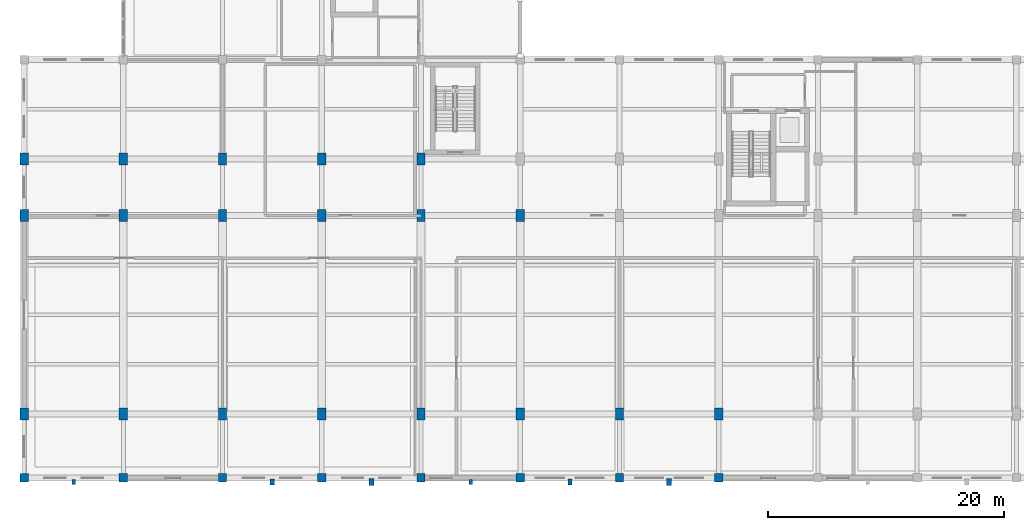
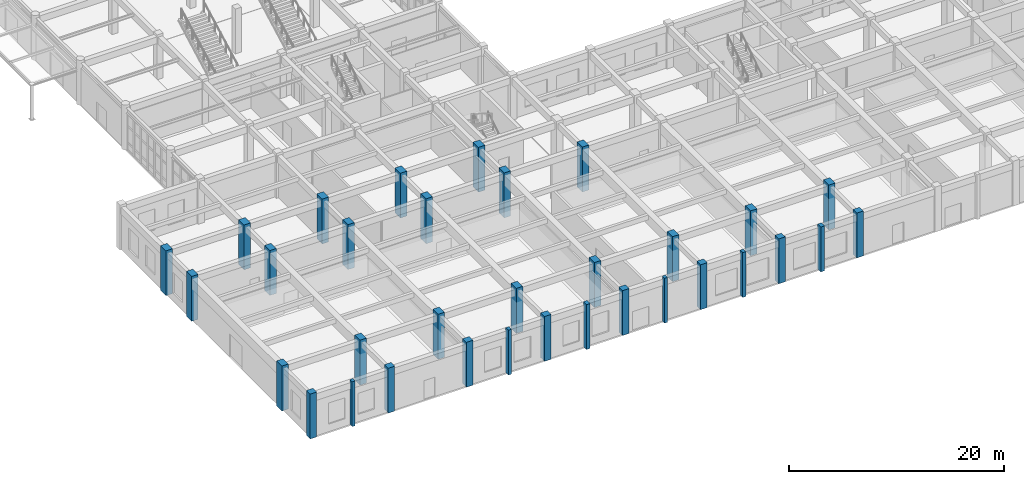
# One storey, part 1 of 80: 33 columns.
"""IFC4 building model written with IfcOpenShell, lengths in metres."""

from ifc_helpers import new_model, si_unit, direction, frame, origin, origin_2d, place, context, subcontext, project, spatial, rectangle, extrude, material, material_profile, profile_set, type_object, element, save


model = new_model("IFC4")

# Units and contexts
model_context = context("Model", 3, precision=1e-05, world=origin(), true_north=direction((0.0, 1.0)))
body_context = subcontext(model_context, "Body", "Model", "MODEL_VIEW")
ifc_project = project(units=[si_unit("LENGTHUNIT", "METRE"), si_unit("AREAUNIT", "SQUARE_METRE"), si_unit("VOLUMEUNIT", "CUBIC_METRE"), si_unit("PLANEANGLEUNIT", "RADIAN"), si_unit("MASSUNIT", "GRAM", prefix="KILO")], contexts=[model_context])

# Site, building, storey
site_placement = place(None, origin())
site = spatial("IfcSite", under=ifc_project, at=site_placement, CompositionType="ELEMENT")
building_placement = place(site_placement, origin())
building = spatial("IfcBuilding", under=site, at=building_placement, Name="Krzemoval Escarpment Law Courts", CompositionType="ELEMENT")
storey_placement = place(building_placement, origin())
storey = spatial("IfcBuildingStorey", under=building, at=storey_placement, Name="L00", CompositionType="ELEMENT", Elevation=0.0)

# Columns
ifc_material_1 = material(Name="Concrete C40/50", Category="concrete")
ifc_material_profile_1 = material_profile(ifc_material_1, rectangle(XDim=0.699951171875, YDim=0.699951171875, at=origin_2d()), Name="RC 700x700")
ifc_profile_set_1 = profile_set([ifc_material_profile_1], Name="Concrete C40/50")
column_type_1 = type_object("IfcColumnType", Name="COL-RC-700", PredefinedType="COLUMN", material=ifc_profile_set_1)
for number, where, z_axis, x_axis, name in (
    (1, (0.0, 0.0, 0.0), (0.0, 0.0, 1.0), (1.0, 0.0, 0.0), "Column FC-L00-0272"),
    (2, (8.39990234375, 0.0, 0.0), (0.0, 0.0, 1.0), (1.0, 0.0, 0.0), "Column FC-L00-0281"),
    (3, (16.800048828125, 0.0, 0.0), (0.0, 0.0, 1.0), (1.0, 0.0, 0.0), "Column FC-L00-0298"),
    (4, (25.199951171875, 0.0, 0.0), (0.0, 0.0, 1.0), (1.0, 0.0, 0.0), "Column FC-L00-0315"),
    (5, (33.60009765625, 0.0, 0.0), (0.0, 0.0, 1.0), (1.0, 0.0, 0.0), "Column FC-L00-0332"),
    (6, (42.0, 0.0, 0.0), (0.0, 0.0, 1.0), (1.0, 0.0, 0.0), "Column FC-L00-0349"),
    (7, (50.39990234375, 0.0, 0.0), (0.0, 0.0, 1.0), (1.0, 0.0, 0.0), "Column FC-L00-0366"),
    (8, (58.800048828125, 0.0, 0.0), (0.0, 0.0, 1.0), (1.0, 0.0, 0.0), "Column FC-L00-0374"),
):
    element("IfcColumn", number, at=place(storey_placement, frame(where, z_axis=z_axis, x_axis=x_axis)), inside=storey, type_object=column_type_1, Name=name, PredefinedType="COLUMN", context=body_context, shape_type="SweptSolid", body=[
        extrude(rectangle(XDim=0.699951171875, YDim=0.699951171875, at=origin_2d()), origin(), (0.0, 0.0, 1.0), 5.10009765625),
    ])
ifc_material_2 = material(Name="Concrete C50/60", Category="concrete")
ifc_material_profile_2 = material_profile(ifc_material_2, rectangle(XDim=0.699951171875, YDim=1.0, at=origin_2d()), Name="RC 700x1000")
ifc_profile_set_2 = profile_set([ifc_material_profile_2], Name="Concrete C50/60")
column_type_2 = type_object("IfcColumnType", Name="COL-RC-700x1000", PredefinedType="COLUMN", material=ifc_profile_set_2)
for number, where, z_axis, x_axis, name in (
    (9, (0.0, 5.39990234375, 0.0), (0.0, 0.0, 1.0), (1.0, 0.0, 0.0), "Column FC-L00-0273"),
    (10, (0.0, 22.199951171875, 0.0), (0.0, 0.0, 1.0), (1.0, 0.0, 0.0), "Column FC-L00-0274"),
    (11, (0.0, 27.0, 0.0), (0.0, 0.0, 1.0), (1.0, 0.0, 0.0), "Column FC-L00-0275"),
    (12, (8.39990234375, 5.39990234375, 0.0), (0.0, 0.0, 1.0), (1.0, 0.0, 0.0), "Column FC-L00-0282"),
    (13, (8.39990234375, 22.199951171875, 0.0), (0.0, 0.0, 1.0), (1.0, 0.0, 0.0), "Column FC-L00-0283"),
    (14, (8.39990234375, 27.0, 0.0), (0.0, 0.0, 1.0), (1.0, 0.0, 0.0), "Column FC-L00-0284"),
    (15, (16.800048828125, 5.39990234375, 0.0), (0.0, 0.0, 1.0), (1.0, 0.0, 0.0), "Column FC-L00-0299"),
    (16, (16.800048828125, 22.199951171875, 0.0), (0.0, 0.0, 1.0), (1.0, 0.0, 0.0), "Column FC-L00-0300"),
    (17, (16.800048828125, 27.0, 0.0), (0.0, 0.0, 1.0), (1.0, 0.0, 0.0), "Column FC-L00-0301"),
    (18, (25.199951171875, 5.39990234375, 0.0), (0.0, 0.0, 1.0), (1.0, 0.0, 0.0), "Column FC-L00-0316"),
    (19, (25.199951171875, 22.199951171875, 0.0), (0.0, 0.0, 1.0), (1.0, 0.0, 0.0), "Column FC-L00-0317"),
    (20, (25.199951171875, 27.0, 0.0), (0.0, 0.0, 1.0), (1.0, 0.0, 0.0), "Column FC-L00-0318"),
    (21, (33.60009765625, 5.39990234375, 0.0), (0.0, 0.0, 1.0), (1.0, 0.0, 0.0), "Column FC-L00-0333"),
    (22, (33.60009765625, 22.199951171875, 0.0), (0.0, 0.0, 1.0), (1.0, 0.0, 0.0), "Column FC-L00-0334"),
    (23, (33.60009765625, 27.0, 0.0), (0.0, 0.0, 1.0), (1.0, 0.0, 0.0), "Column FC-L00-0335"),
    (24, (42.0, 5.39990234375, 0.0), (0.0, 0.0, 1.0), (1.0, 0.0, 0.0), "Column FC-L00-0350"),
    (25, (42.0, 22.199951171875, 0.0), (0.0, 0.0, 1.0), (1.0, 0.0, 0.0), "Column FC-L00-0351"),
    (26, (50.39990234375, 5.39990234375, 0.0), (0.0, 0.0, 1.0), (1.0, 0.0, 0.0), "Column FC-L00-0367"),
    (27, (58.800048828125, 5.39990234375, 0.0), (0.0, 0.0, 1.0), (1.0, 0.0, 0.0), "Column FC-L00-0375"),
):
    element("IfcColumn", number, at=place(storey_placement, frame(where, z_axis=z_axis, x_axis=x_axis)), inside=storey, type_object=column_type_2, Name=name, PredefinedType="COLUMN", context=body_context, shape_type="SweptSolid", body=[
        extrude(rectangle(XDim=0.699951171875, YDim=1.0, at=origin_2d()), origin(), (0.0, 0.0, 1.0), 5.10009765625),
    ])
ifc_material_3 = material(Name="Precast concrete C40/50", Category="concrete")
ifc_material_profile_3 = material_profile(ifc_material_3, rectangle(XDim=0.300048828125, YDim=0.449951171875, at=origin_2d()), Name="PIL 300x450")
ifc_profile_set_3 = profile_set([ifc_material_profile_3], Name="Precast concrete C40/50")
column_type_3 = type_object("IfcColumnType", Name="PIL-PC-300x450", PredefinedType="PILASTER", material=ifc_profile_set_3)
for number, where, z_axis, x_axis, name in (
    (28, (4.199951171875, -0.35009765625, 0.0), (0.0, 0.0, 1.0), (1.0, 0.0, 0.0), "Facade Pilaster PIL-L00-002"),
    (29, (37.800048828125, -0.35009765625, 0.0), (0.0, 0.0, 1.0), (1.0, 0.0, 0.0), "Facade Pilaster PIL-L00-017"),
):
    element("IfcColumn", number, at=place(storey_placement, frame(where, z_axis=z_axis, x_axis=x_axis)), inside=storey, type_object=column_type_3, Name=name, PredefinedType="PILASTER", context=body_context, shape_type="SweptSolid", body=[
        extrude(rectangle(XDim=0.300048828125, YDim=0.449951171875, at=origin_2d()), origin(), (0.0, 0.0, 1.0), 5.10009765625),
    ])
ifc_material_4 = material(Name="Precast concrete C40/50", Category="concrete")
ifc_material_profile_4 = material_profile(ifc_material_4, rectangle(XDim=0.35009765625, YDim=0.5, at=origin_2d()), Name="PIL 350x500")
ifc_profile_set_4 = profile_set([ifc_material_profile_4], Name="Precast concrete C40/50")
column_type_4 = type_object("IfcColumnType", Name="PIL-PC-350x500", PredefinedType="PILASTER", material=ifc_profile_set_4)
for number, where, z_axis, x_axis, name in (
    (30, (21.0, -0.35009765625, 0.0), (0.0, 0.0, 1.0), (1.0, 0.0, 0.0), "Facade Pilaster PIL-L00-007"),
    (31, (46.199951171875, -0.35009765625, 0.0), (0.0, 0.0, 1.0), (1.0, 0.0, 0.0), "Facade Pilaster PIL-L00-022"),
):
    element("IfcColumn", number, at=place(storey_placement, frame(where, z_axis=z_axis, x_axis=x_axis)), inside=storey, type_object=column_type_4, Name=name, PredefinedType="PILASTER", context=body_context, shape_type="SweptSolid", body=[
        extrude(rectangle(XDim=0.35009765625, YDim=0.5, at=origin_2d()), origin(), (0.0, 0.0, 1.0), 5.10009765625),
    ])
ifc_material_5 = material(Name="Precast concrete C40/50", Category="concrete")
ifc_material_profile_5 = material_profile(ifc_material_5, rectangle(XDim=0.39990234375, YDim=0.60009765625, at=origin_2d()), Name="PIL 400x600")
ifc_profile_set_5 = profile_set([ifc_material_profile_5], Name="Precast concrete C40/50")
column_type_5 = type_object("IfcColumnType", Name="PIL-PC-400x600", PredefinedType="PILASTER", material=ifc_profile_set_5)
for number, where, z_axis, x_axis, name in (
    (32, (29.39990234375, -0.35009765625, 0.0), (0.0, 0.0, 1.0), (1.0, 0.0, 0.0), "Facade Pilaster PIL-L00-012"),
    (33, (54.60009765625, -0.35009765625, 0.0), (0.0, 0.0, 1.0), (1.0, 0.0, 0.0), "Facade Pilaster PIL-L00-027"),
):
    element("IfcColumn", number, at=place(storey_placement, frame(where, z_axis=z_axis, x_axis=x_axis)), inside=storey, type_object=column_type_5, Name=name, PredefinedType="PILASTER", context=body_context, shape_type="SweptSolid", body=[
        extrude(rectangle(XDim=0.39990234375, YDim=0.60009765625, at=origin_2d()), origin(), (0.0, 0.0, 1.0), 5.10009765625),
    ])

save(model, "model.ifc")
